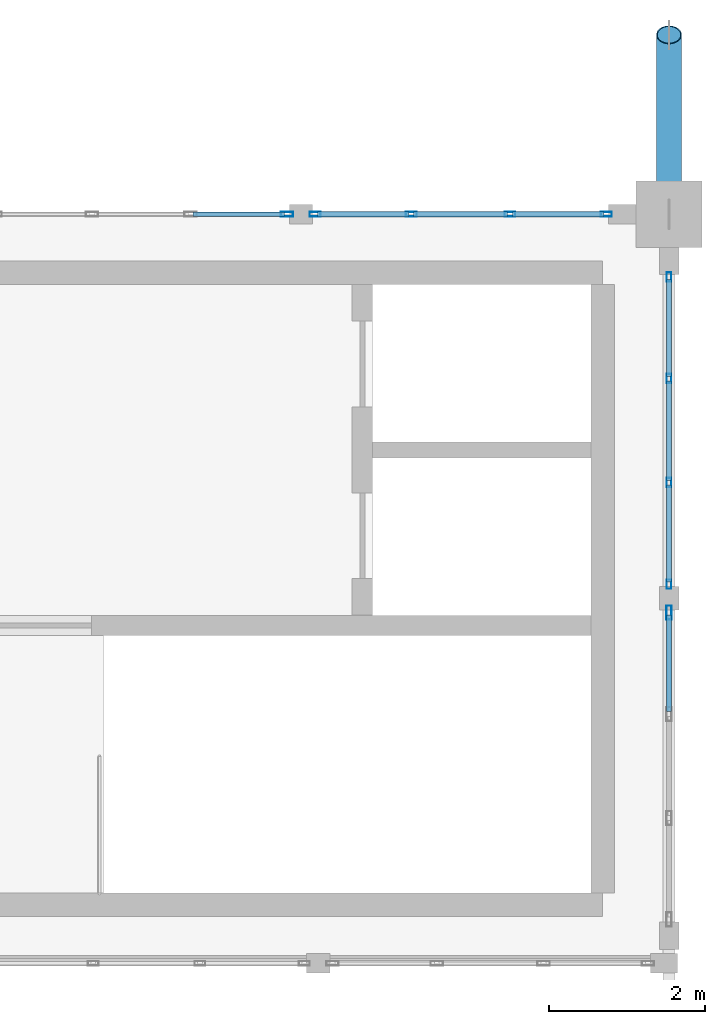
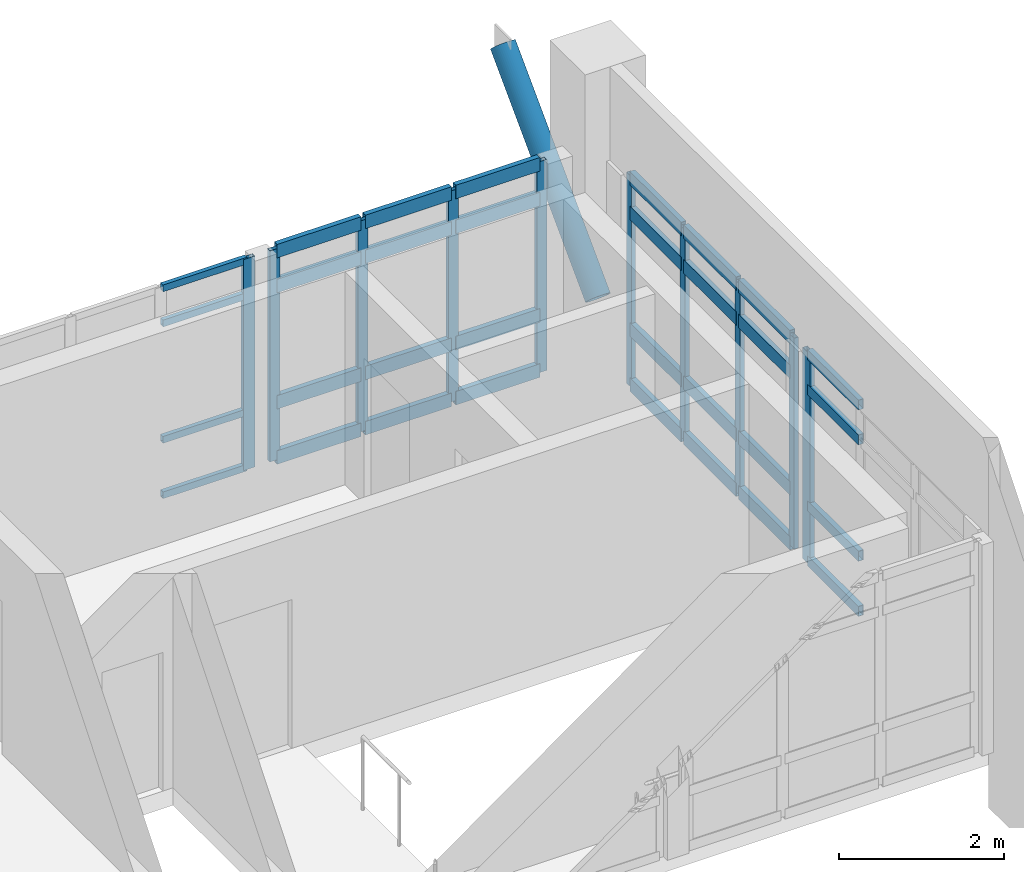
# One storey, part 22 of 37: 43 members, 4 elements without a shape of their own.
"""IFC4 building model written with IfcOpenShell, lengths in metres."""

from ifc_helpers import new_model, si_unit, direction, frame, origin, origin_2d, place, context, subcontext, project, spatial, hollow_rectangle, hollow_circle, extrude, material, layer, layer_set, material_profile, profile_set, type_object, element, aggregate, save


model = new_model("IFC4")

# Units and contexts
model_context = context("Model", 3, precision=1e-05, world=origin(), true_north=direction((0.0, 1.0)))
body_context = subcontext(model_context, "Body", "Model", "MODEL_VIEW")
ifc_project = project(units=[si_unit("LENGTHUNIT", "METRE"), si_unit("AREAUNIT", "SQUARE_METRE"), si_unit("VOLUMEUNIT", "CUBIC_METRE"), si_unit("PLANEANGLEUNIT", "RADIAN"), si_unit("MASSUNIT", "GRAM", prefix="KILO")], contexts=[model_context])

# Site, building, storey
site_placement = place(None, origin())
site = spatial("IfcSite", under=ifc_project, at=site_placement, CompositionType="ELEMENT")
building_placement = place(site_placement, origin())
building = spatial("IfcBuilding", under=site, at=building_placement, Name="Fikremerkos Civic Library", CompositionType="ELEMENT")
storey_placement = place(building_placement, frame((0.0, 0.0, 23.39990234375)))
storey = spatial("IfcBuildingStorey", under=building, at=storey_placement, Name="L05", CompositionType="ELEMENT", Elevation=23.39990234375)

# Curtain wall, member
ifc_material_1 = material(Name="Anodized aluminium Frame", Category="aluminium")
ifc_layer_1 = layer(ifc_material_1, 0.159912109375, Name="Anodized aluminium Frame")
ifc_layer_set_1 = layer_set([ifc_layer_1], Name="Anodized aluminium Frame")
curtain_wall_type_1 = type_object("IfcCurtainWallType", Name="Unitised curtain wall CW-09 3600x3400", PredefinedType="USERDEFINED", material=ifc_layer_set_1)
curtain_wall_1_placement = place(storey_placement, origin())
curtain_wall_1 = element("IfcCurtainWall", 1, at=curtain_wall_1_placement, inside=storey, type_object=curtain_wall_type_1, Name="Unitised curtain wall CW-09 L05 #279", ObjectType="UNITISED CURTAIN WALL", PredefinedType="USERDEFINED")
ifc_material_profile_1 = material_profile(ifc_material_1, hollow_rectangle(XDim=0.06494140625, YDim=0.179931640625, WallThickness=0.00439453125, at=origin_2d()), Name="ALU 180x65x4.5")
ifc_profile_set_1 = profile_set([ifc_material_profile_1], Name="Anodized aluminium Frame")
member_type_1 = type_object("IfcMemberType", Name="Curtain mullion CWM-01 ALU 180x65x4.5", PredefinedType="MULLION", material=ifc_profile_set_1)
member_1_placement = place(storey_placement, frame((113.699951171875, 26.095947265625, 0.0), z_axis=(0.0, 0.0, 1.0), x_axis=(1.0, 0.0, 0.0)))
member_1 = element("IfcMember", 2, at=member_1_placement, type_object=member_type_1, Name="CW-09 mullion 1", PredefinedType="MULLION", context=body_context, shape_type="SweptSolid", body=[
    extrude(hollow_rectangle(XDim=0.06494140625, YDim=0.179931640625, WallThickness=0.00439453125, at=origin_2d()), origin(), (0.0, 0.0, 1.0), 3.1201171875),
])

ifc_layer_2 = layer(ifc_material_1, 0.159912109375, Name="Anodized aluminium Frame")
ifc_layer_set_2 = layer_set([ifc_layer_2], Name="Anodized aluminium Frame")
curtain_wall_type_2 = type_object("IfcCurtainWallType", Name="Unitised curtain wall CW-06 4200x4100", PredefinedType="USERDEFINED", material=ifc_layer_set_2)
curtain_wall_2_placement = place(storey_placement, origin())
curtain_wall_2 = element("IfcCurtainWall", 3, at=curtain_wall_2_placement, inside=storey, type_object=curtain_wall_type_2, Name="Unitised curtain wall CW-06 L05 #276", ObjectType="UNITISED CURTAIN WALL", PredefinedType="USERDEFINED")
ifc_material_profile_2 = material_profile(ifc_material_1, hollow_rectangle(XDim=0.06005859375, YDim=0.159912109375, WallThickness=0.00390625, at=origin_2d()), Name="ALU 160x60x4")
ifc_profile_set_2 = profile_set([ifc_material_profile_2], Name="Anodized aluminium Frame")
member_type_2 = type_object("IfcMemberType", Name="Curtain mullion CWM-02 ALU 160x60x4", PredefinedType="MULLION", material=ifc_profile_set_2)
member_2_placement = place(storey_placement, frame((108.803955078125, 31.199951171875, 0.0), z_axis=(0.0, 0.0, 1.0), x_axis=(0.0, 1.0, 0.0)))
member_2 = element("IfcMember", 4, at=member_2_placement, type_object=member_type_2, Name="CW-06 mullion 4", PredefinedType="MULLION", context=body_context, shape_type="SweptSolid", body=[
    extrude(hollow_rectangle(XDim=0.06005859375, YDim=0.159912109375, WallThickness=0.00390625, at=origin_2d()), origin(), (0.0, 0.0, 1.0), 3.1201171875),
])

# Curtain wall, members
ifc_layer_3 = layer(ifc_material_1, 0.159912109375, Name="Anodized aluminium Frame")
ifc_layer_set_3 = layer_set([ifc_layer_3], Name="Anodized aluminium Frame")
curtain_wall_type_3 = type_object("IfcCurtainWallType", Name="Unitised curtain wall CW-07 3500x4100", PredefinedType="USERDEFINED", material=ifc_layer_set_3)
curtain_wall_3_placement = place(storey_placement, origin())
curtain_wall_3 = element("IfcCurtainWall", 5, at=curtain_wall_3_placement, inside=storey, type_object=curtain_wall_type_3, Name="Unitised curtain wall CW-07 L05 #277", ObjectType="UNITISED CURTAIN WALL", PredefinedType="USERDEFINED")
ifc_material_profile_3 = material_profile(ifc_material_1, hollow_rectangle(XDim=0.06005859375, YDim=0.139892578125, WallThickness=0.00390625, at=origin_2d()), Name="ALU 140x60x4")
ifc_profile_set_3 = profile_set([ifc_material_profile_3], Name="Anodized aluminium Frame")
member_type_3 = type_object("IfcMemberType", Name="Curtain mullion CWM-03 ALU 140x60x4", PredefinedType="MULLION", material=ifc_profile_set_3)
member_3_placement = place(storey_placement, frame((109.1640625, 31.199951171875, 0.0), z_axis=(0.0, 0.0, 1.0), x_axis=(0.0, 1.0, 0.0)))
member_3 = element("IfcMember", 6, at=member_3_placement, type_object=member_type_3, Name="CW-07 mullion 1", PredefinedType="MULLION", context=body_context, shape_type="SweptSolid", body=[
    extrude(hollow_rectangle(XDim=0.06005859375, YDim=0.139892578125, WallThickness=0.00390625, at=origin_2d()), origin(), (0.0, 0.0, 1.0), 3.1201171875),
])
member_4_placement = place(storey_placement, frame((110.3984375, 31.199951171875, 0.0), z_axis=(0.0, 0.0, 1.0), x_axis=(0.0, 1.0, 0.0)))
member_4 = element("IfcMember", 7, at=member_4_placement, type_object=member_type_3, Name="CW-07 mullion 2", PredefinedType="MULLION", context=body_context, shape_type="SweptSolid", body=[
    extrude(hollow_rectangle(XDim=0.06005859375, YDim=0.139892578125, WallThickness=0.00390625, at=origin_2d()), origin(), (0.0, 0.0, 1.0), 3.1201171875),
])
member_5_placement = place(storey_placement, frame((111.66259765625, 31.199951171875, 0.0), z_axis=(0.0, 0.0, 1.0), x_axis=(0.0, 1.0, 0.0)))
member_5 = element("IfcMember", 8, at=member_5_placement, type_object=member_type_3, Name="CW-07 mullion 3", PredefinedType="MULLION", context=body_context, shape_type="SweptSolid", body=[
    extrude(hollow_rectangle(XDim=0.06005859375, YDim=0.139892578125, WallThickness=0.00390625, at=origin_2d()), origin(), (0.0, 0.0, 1.0), 3.1201171875),
])
member_6_placement = place(storey_placement, frame((112.89697265625, 31.199951171875, 0.0), z_axis=(0.0, 0.0, 1.0), x_axis=(0.0, 1.0, 0.0)))
member_6 = element("IfcMember", 9, at=member_6_placement, type_object=member_type_3, Name="CW-07 mullion 4", PredefinedType="MULLION", context=body_context, shape_type="SweptSolid", body=[
    extrude(hollow_rectangle(XDim=0.06005859375, YDim=0.139892578125, WallThickness=0.00390625, at=origin_2d()), origin(), (0.0, 0.0, 1.0), 3.1201171875),
])

ifc_layer_4 = layer(ifc_material_1, 0.159912109375, Name="Anodized aluminium Frame")
ifc_layer_set_4 = layer_set([ifc_layer_4], Name="Anodized aluminium Frame")
curtain_wall_type_4 = type_object("IfcCurtainWallType", Name="Unitised curtain wall CW-08 4500x4100", PredefinedType="USERDEFINED", material=ifc_layer_set_4)
curtain_wall_4_placement = place(storey_placement, origin())
curtain_wall_4 = element("IfcCurtainWall", 10, at=curtain_wall_4_placement, inside=storey, type_object=curtain_wall_type_4, Name="Unitised curtain wall CW-08 L05 #278", ObjectType="UNITISED CURTAIN WALL", PredefinedType="USERDEFINED")
ifc_material_profile_4 = material_profile(ifc_material_1, hollow_rectangle(XDim=0.06005859375, YDim=0.1201171875, WallThickness=0.00390625, at=origin_2d()), Name="ALU 120x60x4")
ifc_profile_set_4 = profile_set([ifc_material_profile_4], Name="Anodized aluminium Frame")
member_type_4 = type_object("IfcMemberType", Name="Curtain mullion CWM-04 ALU 120x60x4", PredefinedType="MULLION", material=ifc_profile_set_4)
member_7_placement = place(storey_placement, frame((113.699951171875, 30.39697265625, 0.0), z_axis=(0.0, 0.0, 1.0), x_axis=(1.0, 0.0, 0.0)))
member_7 = element("IfcMember", 11, at=member_7_placement, type_object=member_type_4, Name="CW-08 mullion 1", PredefinedType="MULLION", context=body_context, shape_type="SweptSolid", body=[
    extrude(hollow_rectangle(XDim=0.06005859375, YDim=0.1201171875, WallThickness=0.00390625, at=origin_2d()), origin(), (0.0, 0.0, 1.0), 3.1201171875),
])
member_8_placement = place(storey_placement, frame((113.699951171875, 29.09423828125, 0.0), z_axis=(0.0, 0.0, 1.0), x_axis=(1.0, 0.0, 0.0)))
member_8 = element("IfcMember", 12, at=member_8_placement, type_object=member_type_4, Name="CW-08 mullion 2", PredefinedType="MULLION", context=body_context, shape_type="SweptSolid", body=[
    extrude(hollow_rectangle(XDim=0.06005859375, YDim=0.1201171875, WallThickness=0.00390625, at=origin_2d()), origin(), (0.0, 0.0, 1.0), 3.1201171875),
])
member_9_placement = place(storey_placement, frame((113.699951171875, 27.76123046875, 0.0), z_axis=(0.0, 0.0, 1.0), x_axis=(1.0, 0.0, 0.0)))
member_9 = element("IfcMember", 13, at=member_9_placement, type_object=member_type_4, Name="CW-08 mullion 3", PredefinedType="MULLION", context=body_context, shape_type="SweptSolid", body=[
    extrude(hollow_rectangle(XDim=0.06005859375, YDim=0.1201171875, WallThickness=0.00390625, at=origin_2d()), origin(), (0.0, 0.0, 1.0), 3.1201171875),
])
member_10_placement = place(storey_placement, frame((113.699951171875, 26.45849609375, 0.0), z_axis=(0.0, 0.0, 1.0), x_axis=(1.0, 0.0, 0.0)))
member_10 = element("IfcMember", 14, at=member_10_placement, type_object=member_type_4, Name="CW-08 mullion 4", PredefinedType="MULLION", context=body_context, shape_type="SweptSolid", body=[
    extrude(hollow_rectangle(XDim=0.06005859375, YDim=0.1201171875, WallThickness=0.00390625, at=origin_2d()), origin(), (0.0, 0.0, 1.0), 3.1201171875),
])

# Member
ifc_material_profile_5 = material_profile(ifc_material_1, hollow_rectangle(XDim=0.070068359375, YDim=0.14990234375, WallThickness=0.00439453125, at=origin_2d()), Name="ALU 150x70x4.5")
ifc_profile_set_5 = profile_set([ifc_material_profile_5], Name="Anodized aluminium Frame")
member_type_5 = type_object("IfcMemberType", Name="Curtain transom CWT-01 ALU 150x70x4.5", PredefinedType="USERDEFINED", material=ifc_profile_set_5)
member_11_placement = place(storey_placement, frame((113.699951171875, 26.0634765625, 0.03515625), z_axis=(0.0, -1.0, 0.0), x_axis=(1.0, 0.0, 0.0)))
member_11 = element("IfcMember", 15, at=member_11_placement, type_object=member_type_5, Name="CW-09 transom 1.1", ObjectType="TRANSOM", PredefinedType="USERDEFINED", context=body_context, shape_type="SweptSolid", body=[
    extrude(hollow_rectangle(XDim=0.070068359375, YDim=0.14990234375, WallThickness=0.00439453125, at=origin_2d()), origin(), (0.0, 0.0, 1.0), 1.2353515625),
])

member_12_placement = place(storey_placement, frame((113.699951171875, 26.0634765625, 0.85009765625), z_axis=(0.0, -1.0, 0.0), x_axis=(1.0, 0.0, 0.0)))
member_12 = element("IfcMember", 16, at=member_12_placement, type_object=member_type_5, Name="CW-09 transom 1.2", ObjectType="TRANSOM", PredefinedType="USERDEFINED", context=body_context, shape_type="SweptSolid", body=[
    extrude(hollow_rectangle(XDim=0.070068359375, YDim=0.14990234375, WallThickness=0.00439453125, at=origin_2d()), origin(), (0.0, 0.0, 1.0), 1.2353515625),
])

member_13_placement = place(storey_placement, frame((113.699951171875, 26.0634765625, 2.570068359375), z_axis=(0.0, -1.0, 0.0), x_axis=(1.0, 0.0, 0.0)))
member_13 = element("IfcMember", 17, at=member_13_placement, type_object=member_type_5, Name="CW-09 transom 1.3", ObjectType="TRANSOM", PredefinedType="USERDEFINED", context=body_context, shape_type="SweptSolid", body=[
    extrude(hollow_rectangle(XDim=0.070068359375, YDim=0.14990234375, WallThickness=0.00439453125, at=origin_2d()), origin(), (0.0, 0.0, 1.0), 1.2353515625),
])

member_14_placement = place(storey_placement, frame((113.699951171875, 26.0634765625, 3.085205078125), z_axis=(0.0, -1.0, 0.0), x_axis=(1.0, 0.0, 0.0)))
member_14 = element("IfcMember", 18, at=member_14_placement, type_object=member_type_5, Name="CW-09 transom 1.4", ObjectType="TRANSOM", PredefinedType="USERDEFINED", context=body_context, shape_type="SweptSolid", body=[
    extrude(hollow_rectangle(XDim=0.070068359375, YDim=0.14990234375, WallThickness=0.00439453125, at=origin_2d()), origin(), (0.0, 0.0, 1.0), 1.2353515625),
])

aggregate(curtain_wall_1, [member_1, member_11, member_12, member_13, member_14])

ifc_material_profile_6 = material_profile(ifc_material_1, hollow_rectangle(XDim=0.06005859375, YDim=0.10009765625, WallThickness=0.00390625, at=origin_2d()), Name="ALU 100x60x4")
ifc_profile_set_6 = profile_set([ifc_material_profile_6], Name="Anodized aluminium Frame")
member_type_6 = type_object("IfcMemberType", Name="Curtain transom CWT-03 ALU 100x60x4", PredefinedType="USERDEFINED", material=ifc_profile_set_6)
member_15_placement = place(storey_placement, frame((107.599609375, 31.199951171875, 0.030029296875), z_axis=(1.0, 0.0, 0.0), x_axis=(0.0, 1.0, 0.0)))
member_15 = element("IfcMember", 19, at=member_15_placement, type_object=member_type_6, Name="CW-06 transom 3.1", ObjectType="TRANSOM", PredefinedType="USERDEFINED", context=body_context, shape_type="SweptSolid", body=[
    extrude(hollow_rectangle(XDim=0.06005859375, YDim=0.10009765625, WallThickness=0.00390625, at=origin_2d()), origin(), (0.0, 0.0, 1.0), 1.17431640625),
])

member_16_placement = place(storey_placement, frame((107.599609375, 31.199951171875, 0.85009765625), z_axis=(1.0, 0.0, 0.0), x_axis=(0.0, 1.0, 0.0)))
member_16 = element("IfcMember", 20, at=member_16_placement, type_object=member_type_6, Name="CW-06 transom 3.2", ObjectType="TRANSOM", PredefinedType="USERDEFINED", context=body_context, shape_type="SweptSolid", body=[
    extrude(hollow_rectangle(XDim=0.06005859375, YDim=0.10009765625, WallThickness=0.00390625, at=origin_2d()), origin(), (0.0, 0.0, 1.0), 1.17431640625),
])

member_17_placement = place(storey_placement, frame((107.599609375, 31.199951171875, 2.570068359375), z_axis=(1.0, 0.0, 0.0), x_axis=(0.0, 1.0, 0.0)))
member_17 = element("IfcMember", 21, at=member_17_placement, type_object=member_type_6, Name="CW-06 transom 3.3", ObjectType="TRANSOM", PredefinedType="USERDEFINED", context=body_context, shape_type="SweptSolid", body=[
    extrude(hollow_rectangle(XDim=0.06005859375, YDim=0.10009765625, WallThickness=0.00390625, at=origin_2d()), origin(), (0.0, 0.0, 1.0), 1.17431640625),
])

member_18_placement = place(storey_placement, frame((107.599609375, 31.199951171875, 3.090087890625), z_axis=(1.0, 0.0, 0.0), x_axis=(0.0, 1.0, 0.0)))
member_18 = element("IfcMember", 22, at=member_18_placement, type_object=member_type_6, Name="CW-06 transom 3.4", ObjectType="TRANSOM", PredefinedType="USERDEFINED", context=body_context, shape_type="SweptSolid", body=[
    extrude(hollow_rectangle(XDim=0.06005859375, YDim=0.10009765625, WallThickness=0.00390625, at=origin_2d()), origin(), (0.0, 0.0, 1.0), 1.17431640625),
])

aggregate(curtain_wall_2, [member_2, member_15, member_16, member_17, member_18])

ifc_material_profile_7 = material_profile(ifc_material_1, hollow_rectangle(XDim=0.070068359375, YDim=0.199951171875, WallThickness=0.0048828125, at=origin_2d()), Name="ALU 200x70x5")
ifc_profile_set_7 = profile_set([ifc_material_profile_7], Name="Anodized aluminium Frame")
member_type_7 = type_object("IfcMemberType", Name="Curtain transom CWT-04 ALU 200x70x5", PredefinedType="USERDEFINED", material=ifc_profile_set_7)
member_19_placement = place(storey_placement, frame((109.194091796875, 31.199951171875, 0.03515625), z_axis=(1.0, 0.0, 0.0), x_axis=(0.0, 1.0, 0.0)))
member_19 = element("IfcMember", 23, at=member_19_placement, type_object=member_type_7, Name="CW-07 transom 1.1", ObjectType="TRANSOM", PredefinedType="USERDEFINED", context=body_context, shape_type="SweptSolid", body=[
    extrude(hollow_rectangle(XDim=0.070068359375, YDim=0.199951171875, WallThickness=0.0048828125, at=origin_2d()), origin(), (0.0, 0.0, 1.0), 1.17431640625),
])

member_20_placement = place(storey_placement, frame((109.194091796875, 31.199951171875, 0.85009765625), z_axis=(1.0, 0.0, 0.0), x_axis=(0.0, 1.0, 0.0)))
member_20 = element("IfcMember", 24, at=member_20_placement, type_object=member_type_7, Name="CW-07 transom 1.2", ObjectType="TRANSOM", PredefinedType="USERDEFINED", context=body_context, shape_type="SweptSolid", body=[
    extrude(hollow_rectangle(XDim=0.070068359375, YDim=0.199951171875, WallThickness=0.0048828125, at=origin_2d()), origin(), (0.0, 0.0, 1.0), 1.17431640625),
])

member_21_placement = place(storey_placement, frame((109.194091796875, 31.199951171875, 2.570068359375), z_axis=(1.0, 0.0, 0.0), x_axis=(0.0, 1.0, 0.0)))
member_21 = element("IfcMember", 25, at=member_21_placement, type_object=member_type_7, Name="CW-07 transom 1.3", ObjectType="TRANSOM", PredefinedType="USERDEFINED", context=body_context, shape_type="SweptSolid", body=[
    extrude(hollow_rectangle(XDim=0.070068359375, YDim=0.199951171875, WallThickness=0.0048828125, at=origin_2d()), origin(), (0.0, 0.0, 1.0), 1.17431640625),
])

member_22_placement = place(storey_placement, frame((109.194091796875, 31.199951171875, 3.085205078125), z_axis=(1.0, 0.0, 0.0), x_axis=(0.0, 1.0, 0.0)))
member_22 = element("IfcMember", 26, at=member_22_placement, type_object=member_type_7, Name="CW-07 transom 1.4", ObjectType="TRANSOM", PredefinedType="USERDEFINED", context=body_context, shape_type="SweptSolid", body=[
    extrude(hollow_rectangle(XDim=0.070068359375, YDim=0.199951171875, WallThickness=0.0048828125, at=origin_2d()), origin(), (0.0, 0.0, 1.0), 1.17431640625),
])

member_23_placement = place(storey_placement, frame((110.42822265625, 31.199951171875, 0.03515625), z_axis=(1.0, 0.0, 0.0), x_axis=(0.0, 1.0, 0.0)))
member_23 = element("IfcMember", 27, at=member_23_placement, type_object=member_type_7, Name="CW-07 transom 2.1", ObjectType="TRANSOM", PredefinedType="USERDEFINED", context=body_context, shape_type="SweptSolid", body=[
    extrude(hollow_rectangle(XDim=0.070068359375, YDim=0.199951171875, WallThickness=0.0048828125, at=origin_2d()), origin(), (0.0, 0.0, 1.0), 1.204345703125),
])

member_24_placement = place(storey_placement, frame((110.42822265625, 31.199951171875, 0.85009765625), z_axis=(1.0, 0.0, 0.0), x_axis=(0.0, 1.0, 0.0)))
member_24 = element("IfcMember", 28, at=member_24_placement, type_object=member_type_7, Name="CW-07 transom 2.2", ObjectType="TRANSOM", PredefinedType="USERDEFINED", context=body_context, shape_type="SweptSolid", body=[
    extrude(hollow_rectangle(XDim=0.070068359375, YDim=0.199951171875, WallThickness=0.0048828125, at=origin_2d()), origin(), (0.0, 0.0, 1.0), 1.204345703125),
])

member_25_placement = place(storey_placement, frame((110.42822265625, 31.199951171875, 2.570068359375), z_axis=(1.0, 0.0, 0.0), x_axis=(0.0, 1.0, 0.0)))
member_25 = element("IfcMember", 29, at=member_25_placement, type_object=member_type_7, Name="CW-07 transom 2.3", ObjectType="TRANSOM", PredefinedType="USERDEFINED", context=body_context, shape_type="SweptSolid", body=[
    extrude(hollow_rectangle(XDim=0.070068359375, YDim=0.199951171875, WallThickness=0.0048828125, at=origin_2d()), origin(), (0.0, 0.0, 1.0), 1.204345703125),
])

member_26_placement = place(storey_placement, frame((110.42822265625, 31.199951171875, 3.085205078125), z_axis=(1.0, 0.0, 0.0), x_axis=(0.0, 1.0, 0.0)))
member_26 = element("IfcMember", 30, at=member_26_placement, type_object=member_type_7, Name="CW-07 transom 2.4", ObjectType="TRANSOM", PredefinedType="USERDEFINED", context=body_context, shape_type="SweptSolid", body=[
    extrude(hollow_rectangle(XDim=0.070068359375, YDim=0.199951171875, WallThickness=0.0048828125, at=origin_2d()), origin(), (0.0, 0.0, 1.0), 1.204345703125),
])

member_27_placement = place(storey_placement, frame((111.692626953125, 31.199951171875, 0.03515625), z_axis=(1.0, 0.0, 0.0), x_axis=(0.0, 1.0, 0.0)))
member_27 = element("IfcMember", 31, at=member_27_placement, type_object=member_type_7, Name="CW-07 transom 3.1", ObjectType="TRANSOM", PredefinedType="USERDEFINED", context=body_context, shape_type="SweptSolid", body=[
    extrude(hollow_rectangle(XDim=0.070068359375, YDim=0.199951171875, WallThickness=0.0048828125, at=origin_2d()), origin(), (0.0, 0.0, 1.0), 1.17431640625),
])

member_28_placement = place(storey_placement, frame((111.692626953125, 31.199951171875, 0.85009765625), z_axis=(1.0, 0.0, 0.0), x_axis=(0.0, 1.0, 0.0)))
member_28 = element("IfcMember", 32, at=member_28_placement, type_object=member_type_7, Name="CW-07 transom 3.2", ObjectType="TRANSOM", PredefinedType="USERDEFINED", context=body_context, shape_type="SweptSolid", body=[
    extrude(hollow_rectangle(XDim=0.070068359375, YDim=0.199951171875, WallThickness=0.0048828125, at=origin_2d()), origin(), (0.0, 0.0, 1.0), 1.17431640625),
])

member_29_placement = place(storey_placement, frame((111.692626953125, 31.199951171875, 2.570068359375), z_axis=(1.0, 0.0, 0.0), x_axis=(0.0, 1.0, 0.0)))
member_29 = element("IfcMember", 33, at=member_29_placement, type_object=member_type_7, Name="CW-07 transom 3.3", ObjectType="TRANSOM", PredefinedType="USERDEFINED", context=body_context, shape_type="SweptSolid", body=[
    extrude(hollow_rectangle(XDim=0.070068359375, YDim=0.199951171875, WallThickness=0.0048828125, at=origin_2d()), origin(), (0.0, 0.0, 1.0), 1.17431640625),
])

member_30_placement = place(storey_placement, frame((111.692626953125, 31.199951171875, 3.085205078125), z_axis=(1.0, 0.0, 0.0), x_axis=(0.0, 1.0, 0.0)))
member_30 = element("IfcMember", 34, at=member_30_placement, type_object=member_type_7, Name="CW-07 transom 3.4", ObjectType="TRANSOM", PredefinedType="USERDEFINED", context=body_context, shape_type="SweptSolid", body=[
    extrude(hollow_rectangle(XDim=0.070068359375, YDim=0.199951171875, WallThickness=0.0048828125, at=origin_2d()), origin(), (0.0, 0.0, 1.0), 1.17431640625),
])

aggregate(curtain_wall_3, [member_3, member_4, member_5, member_6, member_19, member_20, member_21, member_22, member_23, member_24, member_25, member_26, member_27, member_28, member_29, member_30])

member_31_placement = place(storey_placement, frame((113.699951171875, 30.366943359375, 0.03515625), z_axis=(0.0, -1.0, 0.0), x_axis=(1.0, 0.0, 0.0)))
member_31 = element("IfcMember", 35, at=member_31_placement, type_object=member_type_7, Name="CW-08 transom 1.1", ObjectType="TRANSOM", PredefinedType="USERDEFINED", context=body_context, shape_type="SweptSolid", body=[
    extrude(hollow_rectangle(XDim=0.070068359375, YDim=0.199951171875, WallThickness=0.0048828125, at=origin_2d()), origin(), (0.0, 0.0, 1.0), 1.24267578125),
])

member_32_placement = place(storey_placement, frame((113.699951171875, 30.366943359375, 0.85009765625), z_axis=(0.0, -1.0, 0.0), x_axis=(1.0, 0.0, 0.0)))
member_32 = element("IfcMember", 36, at=member_32_placement, type_object=member_type_7, Name="CW-08 transom 1.2", ObjectType="TRANSOM", PredefinedType="USERDEFINED", context=body_context, shape_type="SweptSolid", body=[
    extrude(hollow_rectangle(XDim=0.070068359375, YDim=0.199951171875, WallThickness=0.0048828125, at=origin_2d()), origin(), (0.0, 0.0, 1.0), 1.24267578125),
])

member_33_placement = place(storey_placement, frame((113.699951171875, 30.366943359375, 2.570068359375), z_axis=(0.0, -1.0, 0.0), x_axis=(1.0, 0.0, 0.0)))
member_33 = element("IfcMember", 37, at=member_33_placement, type_object=member_type_7, Name="CW-08 transom 1.3", ObjectType="TRANSOM", PredefinedType="USERDEFINED", context=body_context, shape_type="SweptSolid", body=[
    extrude(hollow_rectangle(XDim=0.070068359375, YDim=0.199951171875, WallThickness=0.0048828125, at=origin_2d()), origin(), (0.0, 0.0, 1.0), 1.24267578125),
])

member_34_placement = place(storey_placement, frame((113.699951171875, 30.366943359375, 3.085205078125), z_axis=(0.0, -1.0, 0.0), x_axis=(1.0, 0.0, 0.0)))
member_34 = element("IfcMember", 38, at=member_34_placement, type_object=member_type_7, Name="CW-08 transom 1.4", ObjectType="TRANSOM", PredefinedType="USERDEFINED", context=body_context, shape_type="SweptSolid", body=[
    extrude(hollow_rectangle(XDim=0.070068359375, YDim=0.199951171875, WallThickness=0.0048828125, at=origin_2d()), origin(), (0.0, 0.0, 1.0), 1.24267578125),
])

member_35_placement = place(storey_placement, frame((113.699951171875, 29.064208984375, 0.03515625), z_axis=(0.0, -1.0, 0.0), x_axis=(1.0, 0.0, 0.0)))
member_35 = element("IfcMember", 39, at=member_35_placement, type_object=member_type_7, Name="CW-08 transom 2.1", ObjectType="TRANSOM", PredefinedType="USERDEFINED", context=body_context, shape_type="SweptSolid", body=[
    extrude(hollow_rectangle(XDim=0.070068359375, YDim=0.199951171875, WallThickness=0.0048828125, at=origin_2d()), origin(), (0.0, 0.0, 1.0), 1.27294921875),
])

member_36_placement = place(storey_placement, frame((113.699951171875, 29.064208984375, 0.85009765625), z_axis=(0.0, -1.0, 0.0), x_axis=(1.0, 0.0, 0.0)))
member_36 = element("IfcMember", 40, at=member_36_placement, type_object=member_type_7, Name="CW-08 transom 2.2", ObjectType="TRANSOM", PredefinedType="USERDEFINED", context=body_context, shape_type="SweptSolid", body=[
    extrude(hollow_rectangle(XDim=0.070068359375, YDim=0.199951171875, WallThickness=0.0048828125, at=origin_2d()), origin(), (0.0, 0.0, 1.0), 1.27294921875),
])

member_37_placement = place(storey_placement, frame((113.699951171875, 29.064208984375, 2.570068359375), z_axis=(0.0, -1.0, 0.0), x_axis=(1.0, 0.0, 0.0)))
member_37 = element("IfcMember", 41, at=member_37_placement, type_object=member_type_7, Name="CW-08 transom 2.3", ObjectType="TRANSOM", PredefinedType="USERDEFINED", context=body_context, shape_type="SweptSolid", body=[
    extrude(hollow_rectangle(XDim=0.070068359375, YDim=0.199951171875, WallThickness=0.0048828125, at=origin_2d()), origin(), (0.0, 0.0, 1.0), 1.27294921875),
])

member_38_placement = place(storey_placement, frame((113.699951171875, 29.064208984375, 3.085205078125), z_axis=(0.0, -1.0, 0.0), x_axis=(1.0, 0.0, 0.0)))
member_38 = element("IfcMember", 42, at=member_38_placement, type_object=member_type_7, Name="CW-08 transom 2.4", ObjectType="TRANSOM", PredefinedType="USERDEFINED", context=body_context, shape_type="SweptSolid", body=[
    extrude(hollow_rectangle(XDim=0.070068359375, YDim=0.199951171875, WallThickness=0.0048828125, at=origin_2d()), origin(), (0.0, 0.0, 1.0), 1.27294921875),
])

member_39_placement = place(storey_placement, frame((113.699951171875, 27.7314453125, 0.03515625), z_axis=(0.0, -1.0, 0.0), x_axis=(1.0, 0.0, 0.0)))
member_39 = element("IfcMember", 43, at=member_39_placement, type_object=member_type_7, Name="CW-08 transom 3.1", ObjectType="TRANSOM", PredefinedType="USERDEFINED", context=body_context, shape_type="SweptSolid", body=[
    extrude(hollow_rectangle(XDim=0.070068359375, YDim=0.199951171875, WallThickness=0.0048828125, at=origin_2d()), origin(), (0.0, 0.0, 1.0), 1.242919921875),
])

member_40_placement = place(storey_placement, frame((113.699951171875, 27.7314453125, 0.85009765625), z_axis=(0.0, -1.0, 0.0), x_axis=(1.0, 0.0, 0.0)))
member_40 = element("IfcMember", 44, at=member_40_placement, type_object=member_type_7, Name="CW-08 transom 3.2", ObjectType="TRANSOM", PredefinedType="USERDEFINED", context=body_context, shape_type="SweptSolid", body=[
    extrude(hollow_rectangle(XDim=0.070068359375, YDim=0.199951171875, WallThickness=0.0048828125, at=origin_2d()), origin(), (0.0, 0.0, 1.0), 1.242919921875),
])

member_41_placement = place(storey_placement, frame((113.699951171875, 27.7314453125, 2.570068359375), z_axis=(0.0, -1.0, 0.0), x_axis=(1.0, 0.0, 0.0)))
member_41 = element("IfcMember", 45, at=member_41_placement, type_object=member_type_7, Name="CW-08 transom 3.3", ObjectType="TRANSOM", PredefinedType="USERDEFINED", context=body_context, shape_type="SweptSolid", body=[
    extrude(hollow_rectangle(XDim=0.070068359375, YDim=0.199951171875, WallThickness=0.0048828125, at=origin_2d()), origin(), (0.0, 0.0, 1.0), 1.242919921875),
])

member_42_placement = place(storey_placement, frame((113.699951171875, 27.7314453125, 3.085205078125), z_axis=(0.0, -1.0, 0.0), x_axis=(1.0, 0.0, 0.0)))
member_42 = element("IfcMember", 46, at=member_42_placement, type_object=member_type_7, Name="CW-08 transom 3.4", ObjectType="TRANSOM", PredefinedType="USERDEFINED", context=body_context, shape_type="SweptSolid", body=[
    extrude(hollow_rectangle(XDim=0.070068359375, YDim=0.199951171875, WallThickness=0.0048828125, at=origin_2d()), origin(), (0.0, 0.0, 1.0), 1.242919921875),
])

aggregate(curtain_wall_4, [member_7, member_8, member_9, member_10, member_31, member_32, member_33, member_34, member_35, member_36, member_37, member_38, member_39, member_40, member_41, member_42])

ifc_material_2 = material(Name="Steel S355", Category="steel")
ifc_material_profile_8 = material_profile(ifc_material_2, hollow_circle(Radius=0.161865234375, WallThickness=0.012451171875, at=origin_2d()), Name="CHS 323.9x12.5")
ifc_profile_set_8 = profile_set([ifc_material_profile_8], Name="Steel S355")
member_type_8 = type_object("IfcMemberType", Name="Raking strut STR-03 CHS 323.9x12.5", PredefinedType="STRUT", material=ifc_profile_set_8)
member_43_placement = place(storey_placement, frame((113.699951171875, 31.199951171875, 0.800048828125), z_axis=(0.0, 0.69945578618, 0.714675872812), x_axis=(-1.0, 0.0, 0.0)))
element("IfcMember", 47, at=member_43_placement, inside=storey, type_object=member_type_8, Name="Raking valley overhang strut STR-03 L05 X=113.7", PredefinedType="STRUT", context=body_context, shape_type="SweptSolid", body=[
    extrude(hollow_circle(Radius=0.161865234375, WallThickness=0.012451171875, at=origin_2d()), origin(), (0.0, 0.0, 1.0), 3.288330078125),
])

save(model, "model.ifc")
